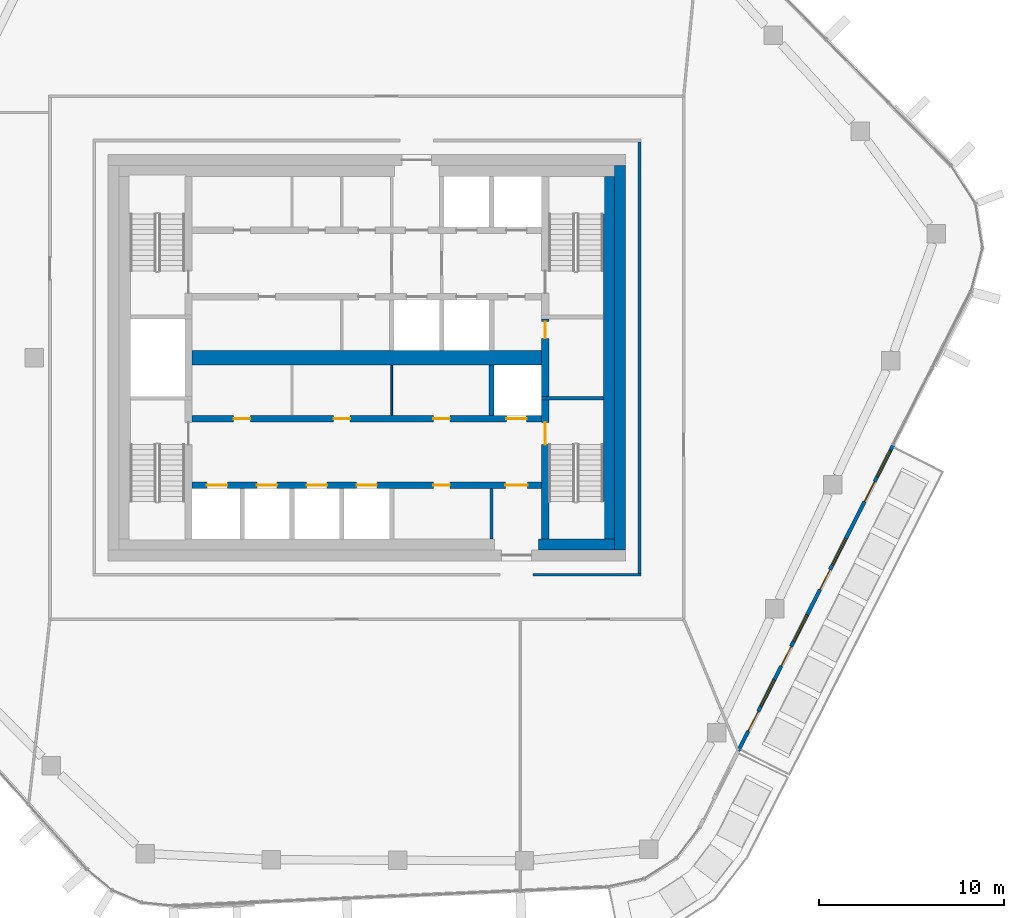
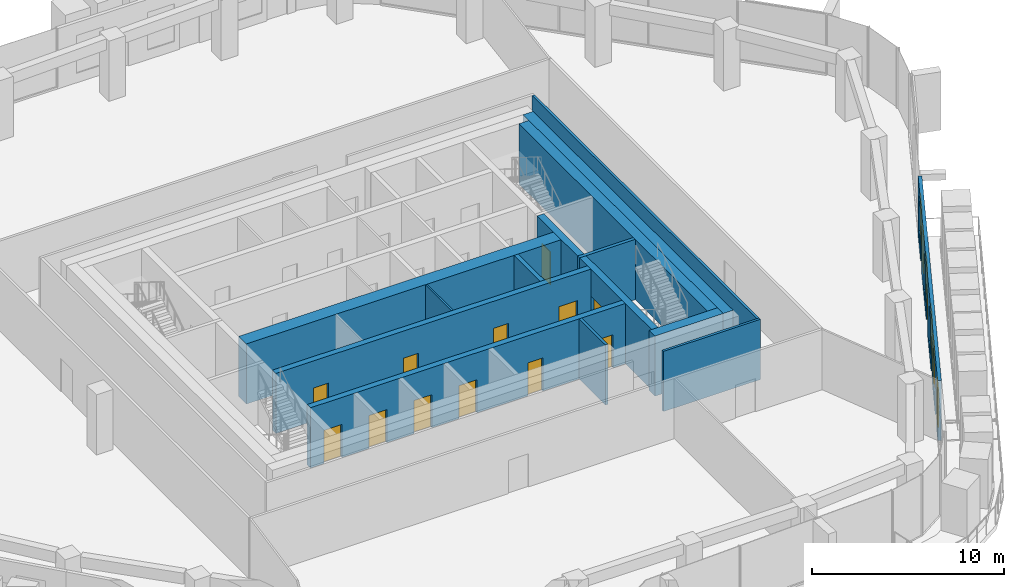
# One storey, part 13 of 23: 16 doors, 15 walls, 4 windows, 20 openings.
"""IFC4 building model written with IfcOpenShell, lengths in metres."""

from ifc_helpers import new_model, si_unit, direction, frame, frame_2d, origin, place, context, subcontext, project, spatial, rectangle, extrude, material, layer, layer_set, type_object, element, fill, save


model = new_model("IFC4")

# Units and contexts
model_context = context("Model", 3, precision=1e-05, world=origin(), true_north=direction((0.0, 1.0)))
body_context = subcontext(model_context, "Body", "Model", "MODEL_VIEW")
ifc_project = project(units=[si_unit("LENGTHUNIT", "METRE"), si_unit("AREAUNIT", "SQUARE_METRE"), si_unit("VOLUMEUNIT", "CUBIC_METRE"), si_unit("PLANEANGLEUNIT", "RADIAN"), si_unit("MASSUNIT", "GRAM", prefix="KILO")], contexts=[model_context])

# Site, building, storey
site_placement = place(None, origin())
site = spatial("IfcSite", under=ifc_project, at=site_placement, CompositionType="ELEMENT")
building_placement = place(site_placement, origin())
building = spatial("IfcBuilding", under=site, at=building_placement, Name="Dongbaek Canopy Tower", CompositionType="ELEMENT")
storey_placement = place(building_placement, frame((0.0, 0.0, 323.60009765625)))
storey = spatial("IfcBuildingStorey", under=building, at=storey_placement, Name="L69", CompositionType="ELEMENT", Elevation=323.60009765625)

# Wall
ifc_material_1 = material(Name="Concrete C60/75", Category="concrete")
ifc_layer_1 = layer(ifc_material_1, 0.800048828125)
ifc_layer_set_1 = layer_set([ifc_layer_1], Name="Core central wall 800 Concrete C60/75")
wall_type_1 = type_object("IfcWallType", Name="Core central wall 800 Concrete C60/75", PredefinedType="SHEAR", material=ifc_layer_set_1)
wall_1_placement = place(storey_placement, frame((-9.449951171875, 0.0, 0.0), z_axis=(0.0, 0.0, 1.0), x_axis=(1.0, 0.0, 0.0)))
element("IfcWall", 1, at=wall_1_placement, inside=storey, type_object=wall_type_1, Name="Core wall", PredefinedType="SHEAR", context=body_context, shape_type="SweptSolid", body=[
    extrude(rectangle(XDim=18.89990234375, YDim=0.800048828125, at=frame_2d((9.449951171875, 0.0))), origin(), (0.0, 0.0, 1.0), 3.81982421875),
])

# Wall, openings, doors
ifc_material_2 = material(Name="Concrete C60/75", Category="concrete")
ifc_layer_2 = layer(ifc_material_2, 0.35009765625)
ifc_layer_set_2 = layer_set([ifc_layer_2], Name="Core lobby wall 350 Concrete C60/75")
wall_type_2 = type_object("IfcWallType", Name="Core lobby wall 350 Concrete C60/75", PredefinedType="SHEAR", material=ifc_layer_set_2)
wall_2_placement = place(storey_placement, frame((-9.449951171875, -3.300048828125, 0.0), z_axis=(0.0, 0.0, 1.0), x_axis=(1.0, 0.0, 0.0)))
wall_2 = element("IfcWall", 2, at=wall_2_placement, inside=storey, type_object=wall_type_2, Name="Core wall", PredefinedType="SHEAR", context=body_context, shape_type="SweptSolid", body=[
    extrude(rectangle(XDim=18.89990234375, YDim=0.35009765625, at=frame_2d((9.449951171875, 0.0))), origin(), (0.0, 0.0, 1.0), 3.81982421875),
])
opening_1_placement = place(wall_2_placement, frame((17.0, 0.0, 0.0)))
opening_1 = element("IfcOpeningElement", 3, at=opening_1_placement, cuts=wall_2, Name="Opening L69-D014", PredefinedType="OPENING", context=body_context, shape_type="SweptSolid", body=[
    extrude(rectangle(XDim=1.10009765625, YDim=2.10009765625, at=frame_2d((0.550048828125, 1.050048828125))), frame((0.0, 0.18505859375, 0.0), z_axis=(0.0, -1.0, 0.0), x_axis=(1.0, 0.0, 0.0)), (0.0, 0.0, 1.0), 0.3701171875),
])
opening_2_placement = place(wall_2_placement, frame((2.25, 0.0, 0.0)))
opening_2 = element("IfcOpeningElement", 4, at=opening_2_placement, cuts=wall_2, Name="Opening L69-D026", PredefinedType="OPENING", context=body_context, shape_type="SweptSolid", body=[
    extrude(rectangle(XDim=0.89990234375, YDim=2.10009765625, at=frame_2d((0.449951171875, 1.050048828125))), frame((0.0, 0.18505859375, 0.0), z_axis=(0.0, -1.0, 0.0), x_axis=(1.0, 0.0, 0.0)), (0.0, 0.0, 1.0), 0.3701171875),
])
opening_3_placement = place(wall_2_placement, frame((7.64990234375, 0.0, 0.0)))
opening_3 = element("IfcOpeningElement", 5, at=opening_3_placement, cuts=wall_2, Name="Opening L69-D027", PredefinedType="OPENING", context=body_context, shape_type="SweptSolid", body=[
    extrude(rectangle(XDim=0.89990234375, YDim=2.10009765625, at=frame_2d((0.449951171875, 1.050048828125))), frame((0.0, 0.18505859375, 0.0), z_axis=(0.0, -1.0, 0.0), x_axis=(1.0, 0.0, 0.0)), (0.0, 0.0, 1.0), 0.3701171875),
])
opening_4_placement = place(wall_2_placement, frame((13.050048828125, 0.0, 0.0)))
opening_4 = element("IfcOpeningElement", 6, at=opening_4_placement, cuts=wall_2, Name="Opening L69-D028", PredefinedType="OPENING", context=body_context, shape_type="SweptSolid", body=[
    extrude(rectangle(XDim=0.89990234375, YDim=2.10009765625, at=frame_2d((0.449951171875, 1.050048828125))), frame((0.0, 0.18505859375, 0.0), z_axis=(0.0, -1.0, 0.0), x_axis=(1.0, 0.0, 0.0)), (0.0, 0.0, 1.0), 0.3701171875),
])
ifc_material_3 = material(Name="Steel", Category="steel")
door_type_1 = type_object("IfcDoorType", Name="Core room door 900 x 2100", OperationType="SINGLE_SWING_LEFT", PredefinedType="DOOR", material=ifc_material_3)
door_1_placement = place(opening_2_placement, origin())
door_1 = element("IfcDoor", 7, at=door_1_placement, inside=storey, type_object=door_type_1, Name="Door L69-D026", OperationType="SINGLE_SWING_LEFT", OverallHeight=2.10009765625, OverallWidth=0.89990234375, PredefinedType="DOOR", context=body_context, shape_type="SweptSolid", body=[
    extrude(rectangle(XDim=0.89990234375, YDim=2.10009765625, at=frame_2d((0.449951171875, 1.050048828125))), frame((0.0, 0.02490234375, 0.0), z_axis=(0.0, -1.0, 0.0), x_axis=(1.0, 0.0, 0.0)), (0.0, 0.0, 1.0), 0.050048828125),
])
fill(opening_2, door_1)
door_2_placement = place(opening_3_placement, origin())
door_2 = element("IfcDoor", 8, at=door_2_placement, inside=storey, type_object=door_type_1, Name="Door L69-D027", OperationType="SINGLE_SWING_RIGHT", OverallHeight=2.10009765625, OverallWidth=0.89990234375, PredefinedType="DOOR", context=body_context, shape_type="SweptSolid", body=[
    extrude(rectangle(XDim=0.89990234375, YDim=2.10009765625, at=frame_2d((0.449951171875, 1.050048828125))), frame((0.0, 0.02490234375, 0.0), z_axis=(0.0, -1.0, 0.0), x_axis=(1.0, 0.0, 0.0)), (0.0, 0.0, 1.0), 0.050048828125),
])
fill(opening_3, door_2)
door_3_placement = place(opening_4_placement, origin())
door_3 = element("IfcDoor", 9, at=door_3_placement, inside=storey, type_object=door_type_1, Name="Door L69-D028", OperationType="SINGLE_SWING_LEFT", OverallHeight=2.10009765625, OverallWidth=0.89990234375, PredefinedType="DOOR", context=body_context, shape_type="SweptSolid", body=[
    extrude(rectangle(XDim=0.89990234375, YDim=2.10009765625, at=frame_2d((0.449951171875, 1.050048828125))), frame((0.0, 0.02490234375, 0.0), z_axis=(0.0, -1.0, 0.0), x_axis=(1.0, 0.0, 0.0)), (0.0, 0.0, 1.0), 0.050048828125),
])
fill(opening_4, door_3)
ifc_material_4 = material(Name="Stainless steel", Category="steel")
door_type_2 = type_object("IfcDoorType", Name="Lift landing door 1100 x 2100", OperationType="DOUBLE_DOOR_SLIDING", PredefinedType="DOOR", material=ifc_material_4)
door_4_placement = place(opening_1_placement, origin())
door_4 = element("IfcDoor", 10, at=door_4_placement, inside=storey, type_object=door_type_2, Name="Landing door SV2", OperationType="DOUBLE_DOOR_SLIDING", OverallHeight=2.10009765625, OverallWidth=1.10009765625, PredefinedType="DOOR", context=body_context, shape_type="SweptSolid", body=[
    extrude(rectangle(XDim=1.10009765625, YDim=2.10009765625, at=frame_2d((0.550048828125, 1.050048828125))), frame((0.0, 0.02490234375, 0.0), z_axis=(0.0, -1.0, 0.0), x_axis=(1.0, 0.0, 0.0)), (0.0, 0.0, 1.0), 0.050048828125),
])
fill(opening_1, door_4)

wall_3_placement = place(storey_placement, frame((9.449951171875, -6.89990234375, 0.0), z_axis=(0.0, 0.0, 1.0), x_axis=(-1.0, 0.0, 0.0)))
wall_3 = element("IfcWall", 11, at=wall_3_placement, inside=storey, type_object=wall_type_2, Name="Core wall", PredefinedType="SHEAR", context=body_context, shape_type="SweptSolid", body=[
    extrude(rectangle(XDim=18.89990234375, YDim=0.35009765625, at=frame_2d((9.449951171875, 0.0))), origin(), (0.0, 0.0, 1.0), 3.81982421875),
])
opening_5_placement = place(wall_3_placement, frame((17.0, 0.0, 0.0)))
opening_5 = element("IfcOpeningElement", 12, at=opening_5_placement, cuts=wall_3, Name="Opening L69-D015", PredefinedType="OPENING", context=body_context, shape_type="SweptSolid", body=[
    extrude(rectangle(XDim=1.10009765625, YDim=2.10009765625, at=frame_2d((0.550048828125, 1.050048828125))), frame((0.0, 0.18505859375, 0.0), z_axis=(0.0, -1.0, 0.0), x_axis=(1.0, 0.0, 0.0)), (0.0, 0.0, 1.0), 0.3701171875),
])
opening_6_placement = place(wall_3_placement, frame((14.300048828125, 0.0, 0.0)))
opening_6 = element("IfcOpeningElement", 13, at=opening_6_placement, cuts=wall_3, Name="Opening L69-D016", PredefinedType="OPENING", context=body_context, shape_type="SweptSolid", body=[
    extrude(rectangle(XDim=1.10009765625, YDim=2.10009765625, at=frame_2d((0.550048828125, 1.050048828125))), frame((0.0, 0.18505859375, 0.0), z_axis=(0.0, -1.0, 0.0), x_axis=(1.0, 0.0, 0.0)), (0.0, 0.0, 1.0), 0.3701171875),
])
opening_7_placement = place(wall_3_placement, frame((11.60009765625, 0.0, 0.0)))
opening_7 = element("IfcOpeningElement", 14, at=opening_7_placement, cuts=wall_3, Name="Opening L69-D017", PredefinedType="OPENING", context=body_context, shape_type="SweptSolid", body=[
    extrude(rectangle(XDim=1.10009765625, YDim=2.10009765625, at=frame_2d((0.550048828125, 1.050048828125))), frame((0.0, 0.18505859375, 0.0), z_axis=(0.0, -1.0, 0.0), x_axis=(1.0, 0.0, 0.0)), (0.0, 0.0, 1.0), 0.3701171875),
])
opening_8_placement = place(wall_3_placement, frame((8.89990234375, 0.0, 0.0)))
opening_8 = element("IfcOpeningElement", 15, at=opening_8_placement, cuts=wall_3, Name="Opening L69-D018", PredefinedType="OPENING", context=body_context, shape_type="SweptSolid", body=[
    extrude(rectangle(XDim=1.10009765625, YDim=2.10009765625, at=frame_2d((0.550048828125, 1.050048828125))), frame((0.0, 0.18505859375, 0.0), z_axis=(0.0, -1.0, 0.0), x_axis=(1.0, 0.0, 0.0)), (0.0, 0.0, 1.0), 0.3701171875),
])
opening_9_placement = place(wall_3_placement, frame((0.75, 0.0, 0.0)))
opening_9 = element("IfcOpeningElement", 16, at=opening_9_placement, cuts=wall_3, Name="Opening L69-D020", PredefinedType="OPENING", context=body_context, shape_type="SweptSolid", body=[
    extrude(rectangle(XDim=1.199951171875, YDim=2.10009765625, at=frame_2d((0.60009765625, 1.050048828125))), frame((0.0, 0.18505859375, 0.0), z_axis=(0.0, -1.0, 0.0), x_axis=(1.0, 0.0, 0.0)), (0.0, 0.0, 1.0), 0.3701171875),
])
opening_10_placement = place(wall_3_placement, frame((4.949951171875, 0.0, 0.0)))
opening_10 = element("IfcOpeningElement", 17, at=opening_10_placement, cuts=wall_3, Name="Opening L69-D029", PredefinedType="OPENING", context=body_context, shape_type="SweptSolid", body=[
    extrude(rectangle(XDim=0.89990234375, YDim=2.10009765625, at=frame_2d((0.449951171875, 1.050048828125))), frame((0.0, 0.18505859375, 0.0), z_axis=(0.0, -1.0, 0.0), x_axis=(1.0, 0.0, 0.0)), (0.0, 0.0, 1.0), 0.3701171875),
])
door_5_placement = place(opening_10_placement, origin())
door_5 = element("IfcDoor", 18, at=door_5_placement, inside=storey, type_object=door_type_1, Name="Door L69-D029", OperationType="SINGLE_SWING_RIGHT", OverallHeight=2.10009765625, OverallWidth=0.89990234375, PredefinedType="DOOR", context=body_context, shape_type="SweptSolid", body=[
    extrude(rectangle(XDim=0.89990234375, YDim=2.10009765625, at=frame_2d((0.449951171875, 1.050048828125))), frame((0.0, 0.02490234375, 0.0), z_axis=(0.0, -1.0, 0.0), x_axis=(1.0, 0.0, 0.0)), (0.0, 0.0, 1.0), 0.050048828125),
])
fill(opening_10, door_5)
ifc_material_5 = material(Name="Steel", Category="steel")
door_type_3 = type_object("IfcDoorType", Name="Fire lobby door 1200 x 2100", OperationType="SINGLE_SWING_LEFT", PredefinedType="DOOR", material=ifc_material_5)
door_6_placement = place(opening_9_placement, origin())
door_6 = element("IfcDoor", 19, at=door_6_placement, inside=storey, type_object=door_type_3, Name="Door L69-D020", OperationType="SINGLE_SWING_LEFT", OverallHeight=2.10009765625, OverallWidth=1.199951171875, PredefinedType="DOOR", context=body_context, shape_type="SweptSolid", body=[
    extrude(rectangle(XDim=1.199951171875, YDim=2.10009765625, at=frame_2d((0.60009765625, 1.050048828125))), frame((0.0, 0.02490234375, 0.0), z_axis=(0.0, -1.0, 0.0), x_axis=(1.0, 0.0, 0.0)), (0.0, 0.0, 1.0), 0.050048828125),
])
fill(opening_9, door_6)
door_7_placement = place(opening_5_placement, origin())
door_7 = element("IfcDoor", 20, at=door_7_placement, inside=storey, type_object=door_type_2, Name="Landing door HR1", OperationType="DOUBLE_DOOR_SLIDING", OverallHeight=2.10009765625, OverallWidth=1.10009765625, PredefinedType="DOOR", context=body_context, shape_type="SweptSolid", body=[
    extrude(rectangle(XDim=1.10009765625, YDim=2.10009765625, at=frame_2d((0.550048828125, 1.050048828125))), frame((0.0, 0.02490234375, 0.0), z_axis=(0.0, -1.0, 0.0), x_axis=(1.0, 0.0, 0.0)), (0.0, 0.0, 1.0), 0.050048828125),
])
fill(opening_5, door_7)
door_8_placement = place(opening_6_placement, origin())
door_8 = element("IfcDoor", 21, at=door_8_placement, inside=storey, type_object=door_type_2, Name="Landing door HR2", OperationType="DOUBLE_DOOR_SLIDING", OverallHeight=2.10009765625, OverallWidth=1.10009765625, PredefinedType="DOOR", context=body_context, shape_type="SweptSolid", body=[
    extrude(rectangle(XDim=1.10009765625, YDim=2.10009765625, at=frame_2d((0.550048828125, 1.050048828125))), frame((0.0, 0.02490234375, 0.0), z_axis=(0.0, -1.0, 0.0), x_axis=(1.0, 0.0, 0.0)), (0.0, 0.0, 1.0), 0.050048828125),
])
fill(opening_6, door_8)
door_9_placement = place(opening_7_placement, origin())
door_9 = element("IfcDoor", 22, at=door_9_placement, inside=storey, type_object=door_type_2, Name="Landing door HR3", OperationType="DOUBLE_DOOR_SLIDING", OverallHeight=2.10009765625, OverallWidth=1.10009765625, PredefinedType="DOOR", context=body_context, shape_type="SweptSolid", body=[
    extrude(rectangle(XDim=1.10009765625, YDim=2.10009765625, at=frame_2d((0.550048828125, 1.050048828125))), frame((0.0, 0.02490234375, 0.0), z_axis=(0.0, -1.0, 0.0), x_axis=(1.0, 0.0, 0.0)), (0.0, 0.0, 1.0), 0.050048828125),
])
fill(opening_7, door_9)
door_10_placement = place(opening_8_placement, origin())
door_10 = element("IfcDoor", 23, at=door_10_placement, inside=storey, type_object=door_type_2, Name="Landing door HR4", OperationType="DOUBLE_DOOR_SLIDING", OverallHeight=2.10009765625, OverallWidth=1.10009765625, PredefinedType="DOOR", context=body_context, shape_type="SweptSolid", body=[
    extrude(rectangle(XDim=1.10009765625, YDim=2.10009765625, at=frame_2d((0.550048828125, 1.050048828125))), frame((0.0, 0.02490234375, 0.0), z_axis=(0.0, -1.0, 0.0), x_axis=(1.0, 0.0, 0.0)), (0.0, 0.0, 1.0), 0.050048828125),
])
fill(opening_8, door_10)

# Walls
ifc_material_6 = material(Name="Concrete C80/95", Category="concrete")
ifc_layer_3 = layer(ifc_material_6, 0.60009765625)
ifc_layer_set_3 = layer_set([ifc_layer_3], Name="Core outer wall 600 Concrete C80/95")
wall_type_3 = type_object("IfcWallType", Name="Core outer wall 600 Concrete C80/95", PredefinedType="SHEAR", material=ifc_layer_set_3)
wall_4_placement = place(storey_placement, frame((13.699951171875, 10.39990234375, 0.0), z_axis=(0.0, 0.0, 1.0), x_axis=(0.0, -1.0, 0.0)))
element("IfcWall", 24, at=wall_4_placement, inside=storey, type_object=wall_type_3, Name="Core wall", PredefinedType="SHEAR", context=body_context, shape_type="SweptSolid", body=[
    extrude(rectangle(XDim=20.7998046875, YDim=0.60009765625, at=frame_2d((10.39990234375, 0.0))), origin(), (0.0, 0.0, 1.0), 3.81982421875),
])
ifc_material_7 = material(Name="Concrete C60/75", Category="concrete")
ifc_layer_4 = layer(ifc_material_7, 0.60009765625)
ifc_layer_set_4 = layer_set([ifc_layer_4], Name="Core wall lining 600 Concrete C60/75")
wall_type_4 = type_object("IfcWallType", Name="Core wall lining 600 Concrete C60/75", PredefinedType="SHEAR", material=ifc_layer_set_4)
wall_5_placement = place(storey_placement, frame((13.39990234375, -10.10009765625, 0.0), z_axis=(0.0, 0.0, 1.0), x_axis=(-1.0, 0.0, 0.0)))
element("IfcWall", 25, at=wall_5_placement, inside=storey, type_object=wall_type_4, Name="Core wall lining", PredefinedType="SHEAR", context=body_context, shape_type="SweptSolid", body=[
    extrude(rectangle(XDim=4.099853515625, YDim=0.60009765625, at=frame_2d((2.0498046875, 0.0))), origin(), (0.0, 0.0, 1.0), 3.81982421875),
])
wall_6_placement = place(storey_placement, frame((13.10009765625, 9.800048828125, 0.0), z_axis=(0.0, 0.0, 1.0), x_axis=(0.0, -1.0, 0.0)))
element("IfcWall", 26, at=wall_6_placement, inside=storey, type_object=wall_type_4, Name="Core wall lining", PredefinedType="SHEAR", context=body_context, shape_type="SweptSolid", body=[
    extrude(rectangle(XDim=19.60009765625, YDim=0.60009765625, at=frame_2d((9.800048828125, 0.0))), origin(), (0.0, 0.0, 1.0), 3.81982421875),
])
ifc_material_8 = material(Name="Gypsum board partition, steel stud, 2 x 15 mm fire board", Category="steel")
ifc_layer_5 = layer(ifc_material_8, 0.14990234375)
ifc_layer_set_5 = layer_set([ifc_layer_5], Name="Fire-rated partition 150 gypsum board")
wall_type_5 = type_object("IfcWallType", Name="Fire-rated partition 150 gypsum board", PredefinedType="PARTITIONING", material=ifc_layer_set_5)
wall_7_placement = place(storey_placement, frame((9.0, -11.75, 0.0), z_axis=(0.0, 0.0, 1.0), x_axis=(1.0, 0.0, 0.0)))
element("IfcWall", 27, at=wall_7_placement, inside=storey, type_object=wall_type_5, Name="Corridor partition", PredefinedType="PARTITIONING", context=body_context, shape_type="SweptSolid", body=[
    extrude(rectangle(XDim=5.824951171875, YDim=0.14990234375, at=frame_2d((2.91259765625, 0.0))), origin(), (0.0, 0.0, 1.0), 3.81982421875),
])
wall_8_placement = place(storey_placement, frame((14.75, -11.675048828125, 0.0), z_axis=(0.0, 0.0, 1.0), x_axis=(0.0, 1.0, 0.0)))
element("IfcWall", 28, at=wall_8_placement, inside=storey, type_object=wall_type_5, Name="Corridor partition", PredefinedType="PARTITIONING", context=body_context, shape_type="SweptSolid", body=[
    extrude(rectangle(XDim=23.35009765625, YDim=0.14990234375, at=frame_2d((11.675048828125, 0.0))), origin(), (0.0, 0.0, 1.0), 3.81982421875),
])
wall_9_placement = place(storey_placement, frame((6.75, -9.800048828125, 0.0), z_axis=(0.0, 0.0, 1.0), x_axis=(0.0, 1.0, 0.0)))
element("IfcWall", 29, at=wall_9_placement, inside=storey, type_object=wall_type_5, Name="Fire lobby partition", PredefinedType="PARTITIONING", context=body_context, shape_type="SweptSolid", body=[
    extrude(rectangle(XDim=2.72509765625, YDim=0.14990234375, at=frame_2d((1.362548828125, 0.0))), origin(), (0.0, 0.0, 1.0), 3.81982421875),
])
ifc_material_9 = material(Name="Concrete C40/50", Category="concrete")
ifc_layer_6 = layer(ifc_material_9, 0.25)
ifc_layer_set_6 = layer_set([ifc_layer_6], Name="Lift shaft wall 250 Concrete C40/50")
wall_type_6 = type_object("IfcWallType", Name="Lift shaft wall 250 Concrete C40/50", PredefinedType="SOLIDWALL", material=ifc_layer_set_6)
wall_10_placement = place(storey_placement, frame((6.75, -3.125, 0.0), z_axis=(0.0, 0.0, 1.0), x_axis=(0.0, 1.0, 0.0)))
element("IfcWall", 30, at=wall_10_placement, inside=storey, type_object=wall_type_6, Name="Lift shaft wall", PredefinedType="SOLIDWALL", context=body_context, shape_type="SweptSolid", body=[
    extrude(rectangle(XDim=2.72509765625, YDim=0.25, at=frame_2d((1.362548828125, 0.0))), origin(), (0.0, 0.0, 1.0), 3.81982421875),
])
ifc_material_10 = material(Name="Gypsum board partition, steel stud, 2 x 12.5 mm board", Category="steel")
ifc_layer_7 = layer(ifc_material_10, 0.10009765625)
ifc_layer_set_7 = layer_set([ifc_layer_7], Name="Partition 100 gypsum board")
wall_type_7 = type_object("IfcWallType", Name="Partition 100 gypsum board", PredefinedType="PARTITIONING", material=ifc_layer_set_7)
wall_11_placement = place(storey_placement, frame((1.35009765625, -3.125, 0.0), z_axis=(0.0, 0.0, 1.0), x_axis=(0.0, 1.0, 0.0)))
element("IfcWall", 31, at=wall_11_placement, inside=storey, type_object=wall_type_7, Name="Core partition", PredefinedType="PARTITIONING", context=body_context, shape_type="SweptSolid", body=[
    extrude(rectangle(XDim=2.72509765625, YDim=0.10009765625, at=frame_2d((1.362548828125, 0.0))), origin(), (0.0, 0.0, 1.0), 3.81982421875),
])
ifc_material_11 = material(Name="Concrete C60/75", Category="concrete")
ifc_layer_8 = layer(ifc_material_11, 0.199951171875)
ifc_layer_set_8 = layer_set([ifc_layer_8], Name="Riser wall 200 Concrete C60/75")
wall_type_8 = type_object("IfcWallType", Name="Riser wall 200 Concrete C60/75", PredefinedType="SHEAR", material=ifc_layer_set_8)
wall_12_placement = place(storey_placement, frame((9.449951171875, -2.199951171875, 0.0), z_axis=(0.0, 0.0, 1.0), x_axis=(1.0, 0.0, 0.0)))
element("IfcWall", 32, at=wall_12_placement, inside=storey, type_object=wall_type_8, Name="Riser wall", PredefinedType="SHEAR", context=body_context, shape_type="SweptSolid", body=[
    extrude(rectangle(XDim=3.35009765625, YDim=0.199951171875, at=frame_2d((1.675048828125, 0.0))), origin(), (0.0, 0.0, 1.0), 3.81982421875),
])

# Wall, opening, door
ifc_material_12 = material(Name="Concrete C60/75", Category="concrete")
ifc_layer_9 = layer(ifc_material_12, 0.39990234375)
ifc_layer_set_9 = layer_set([ifc_layer_9], Name="Stair wall 400 Concrete C60/75")
wall_type_9 = type_object("IfcWallType", Name="Stair wall 400 Concrete C60/75", PredefinedType="SHEAR", material=ifc_layer_set_9)
wall_13_placement = place(storey_placement, frame((9.64990234375, -2.300048828125, 0.0), z_axis=(0.0, 0.0, 1.0), x_axis=(0.0, -1.0, 0.0)))
wall_13 = element("IfcWall", 33, at=wall_13_placement, inside=storey, type_object=wall_type_9, Name="Stair wall", PredefinedType="SHEAR", context=body_context, shape_type="SweptSolid", body=[
    extrude(rectangle(XDim=7.5, YDim=0.39990234375, at=frame_2d((3.75, 0.0))), origin(), (0.0, 0.0, 1.0), 3.81982421875),
])
opening_11_placement = place(wall_13_placement, frame((1.199951171875, 0.0, 0.0)))
opening_11 = element("IfcOpeningElement", 34, at=opening_11_placement, cuts=wall_13, Name="Opening L69-D032", PredefinedType="OPENING", context=body_context, shape_type="SweptSolid", body=[
    extrude(rectangle(XDim=1.199951171875, YDim=2.10009765625, at=frame_2d((0.60009765625, 1.050048828125))), frame((0.0, 0.2099609375, 0.0), z_axis=(0.0, -1.0, 0.0), x_axis=(1.0, 0.0, 0.0)), (0.0, 0.0, 1.0), 0.419921875),
])
ifc_material_13 = material(Name="Steel", Category="steel")
door_type_4 = type_object("IfcDoorType", Name="Stair door 1200 x 2100", OperationType="SINGLE_SWING_LEFT", PredefinedType="DOOR", material=ifc_material_13)
door_11_placement = place(opening_11_placement, origin())
door_11 = element("IfcDoor", 35, at=door_11_placement, inside=storey, type_object=door_type_4, Name="Stair B door", OperationType="SINGLE_SWING_RIGHT", OverallHeight=2.10009765625, OverallWidth=1.199951171875, PredefinedType="DOOR", context=body_context, shape_type="SweptSolid", body=[
    extrude(rectangle(XDim=1.199951171875, YDim=2.10009765625, at=frame_2d((0.60009765625, 1.050048828125))), frame((0.0, 0.02490234375, 0.0), z_axis=(0.0, -1.0, 0.0), x_axis=(1.0, 0.0, 0.0)), (0.0, 0.0, 1.0), 0.050048828125),
])
fill(opening_11, door_11)

wall_14_placement = place(storey_placement, frame((9.64990234375, 2.10009765625, 0.0), z_axis=(0.0, 0.0, 1.0), x_axis=(0.0, -1.0, 0.0)))
wall_14 = element("IfcWall", 36, at=wall_14_placement, inside=storey, type_object=wall_type_9, Name="Stair wall", PredefinedType="SHEAR", context=body_context, shape_type="SweptSolid", body=[
    extrude(rectangle(XDim=4.2001953125, YDim=0.39990234375, at=frame_2d((2.10009765625, 0.0))), origin(), (0.0, 0.0, 1.0), 3.81982421875),
])
opening_12_placement = place(wall_14_placement, frame((0.14990234375, 0.0, 0.0)))
opening_12 = element("IfcOpeningElement", 37, at=opening_12_placement, cuts=wall_14, Name="Opening L69-D006", PredefinedType="OPENING", context=body_context, shape_type="SweptSolid", body=[
    extrude(rectangle(XDim=0.89990234375, YDim=2.10009765625, at=frame_2d((0.449951171875, 1.050048828125))), frame((0.0, 0.2099609375, 0.0), z_axis=(0.0, -1.0, 0.0), x_axis=(1.0, 0.0, 0.0)), (0.0, 0.0, 1.0), 0.419921875),
])
door_12_placement = place(opening_12_placement, origin())
door_12 = element("IfcDoor", 38, at=door_12_placement, inside=storey, type_object=door_type_1, Name="Door L69-D006", OperationType="SINGLE_SWING_RIGHT", OverallHeight=2.10009765625, OverallWidth=0.89990234375, PredefinedType="DOOR", context=body_context, shape_type="SweptSolid", body=[
    extrude(rectangle(XDim=0.89990234375, YDim=2.10009765625, at=frame_2d((0.449951171875, 1.050048828125))), frame((0.0, 0.02490234375, 0.0), z_axis=(0.0, -1.0, 0.0), x_axis=(1.0, 0.0, 0.0)), (0.0, 0.0, 1.0), 0.050048828125),
])
fill(opening_12, door_12)

# Wall, openings, doors, windows
ifc_material_14 = material(Name="Aluminium window wall", Category="aluminium")
ifc_layer_10 = layer(ifc_material_14, 0.199951171875)
ifc_layer_set_10 = layer_set([ifc_layer_10], Name="Window wall 200")
wall_type_10 = type_object("IfcWallType", Name="Window wall 200", PredefinedType="SOLIDWALL", material=ifc_layer_set_10)
wall_15_placement = place(storey_placement, frame((20.102294921875, -21.27587890625, 0.0), z_axis=(0.0, 0.0, 1.0), x_axis=(0.451966467013, 0.892034927957, 0.0)))
wall_15 = element("IfcWall", 39, at=wall_15_placement, inside=storey, type_object=wall_type_10, Name="Window wall L69 4", PredefinedType="SOLIDWALL", context=body_context, shape_type="SweptSolid", body=[
    extrude(rectangle(XDim=18.570068359375, YDim=0.199951171875, at=frame_2d((9.28515625, 0.0))), origin(), (0.0, 0.0, 1.0), 3.81982421875),
])
opening_13_placement = place(wall_15_placement, frame((2.699951171875, 0.0, 0.60009765625)))
opening_13 = element("IfcOpeningElement", 40, at=opening_13_placement, cuts=wall_15, Name="Opening W1", PredefinedType="OPENING", context=body_context, shape_type="SweptSolid", body=[
    extrude(rectangle(XDim=1.60009765625, YDim=2.39990234375, at=frame_2d((0.800048828125, 1.199951171875))), frame((0.0, 0.10986328125, 0.0), z_axis=(0.0, -1.0, 0.0), x_axis=(1.0, 0.0, 0.0)), (0.0, 0.0, 1.0), 0.219970703125),
])
opening_14_placement = place(wall_15_placement, frame((1.199951171875, 0.0, 0.0)))
opening_14 = element("IfcOpeningElement", 41, at=opening_14_placement, cuts=wall_15, Name="Opening L69-B12", PredefinedType="OPENING", context=body_context, shape_type="SweptSolid", body=[
    extrude(rectangle(XDim=1.199951171875, YDim=2.39990234375, at=frame_2d((0.60009765625, 1.199951171875))), frame((0.0, 0.10986328125, 0.0), z_axis=(0.0, -1.0, 0.0), x_axis=(1.0, 0.0, 0.0)), (0.0, 0.0, 1.0), 0.219970703125),
])
opening_15_placement = place(wall_15_placement, frame((6.642578125, 0.0, 0.60009765625)))
opening_15 = element("IfcOpeningElement", 42, at=opening_15_placement, cuts=wall_15, Name="Opening W1", PredefinedType="OPENING", context=body_context, shape_type="SweptSolid", body=[
    extrude(rectangle(XDim=1.60009765625, YDim=2.39990234375, at=frame_2d((0.800048828125, 1.199951171875))), frame((0.0, 0.10986328125, 0.0), z_axis=(0.0, -1.0, 0.0), x_axis=(1.0, 0.0, 0.0)), (0.0, 0.0, 1.0), 0.219970703125),
])
opening_16_placement = place(wall_15_placement, frame((5.142578125, 0.0, 0.0)))
opening_16 = element("IfcOpeningElement", 43, at=opening_16_placement, cuts=wall_15, Name="Opening L69-B13", PredefinedType="OPENING", context=body_context, shape_type="SweptSolid", body=[
    extrude(rectangle(XDim=1.199951171875, YDim=2.39990234375, at=frame_2d((0.60009765625, 1.199951171875))), frame((0.0, 0.10986328125, 0.0), z_axis=(0.0, -1.0, 0.0), x_axis=(1.0, 0.0, 0.0)), (0.0, 0.0, 1.0), 0.219970703125),
])
opening_17_placement = place(wall_15_placement, frame((11.284912109375, 0.0, 0.60009765625)))
opening_17 = element("IfcOpeningElement", 44, at=opening_17_placement, cuts=wall_15, Name="Opening W1", PredefinedType="OPENING", context=body_context, shape_type="SweptSolid", body=[
    extrude(rectangle(XDim=1.60009765625, YDim=2.39990234375, at=frame_2d((0.800048828125, 1.199951171875))), frame((0.0, 0.10986328125, 0.0), z_axis=(0.0, -1.0, 0.0), x_axis=(1.0, 0.0, 0.0)), (0.0, 0.0, 1.0), 0.219970703125),
])
opening_18_placement = place(wall_15_placement, frame((9.784912109375, 0.0, 0.0)))
opening_18 = element("IfcOpeningElement", 45, at=opening_18_placement, cuts=wall_15, Name="Opening L69-B14", PredefinedType="OPENING", context=body_context, shape_type="SweptSolid", body=[
    extrude(rectangle(XDim=1.199951171875, YDim=2.39990234375, at=frame_2d((0.60009765625, 1.199951171875))), frame((0.0, 0.10986328125, 0.0), z_axis=(0.0, -1.0, 0.0), x_axis=(1.0, 0.0, 0.0)), (0.0, 0.0, 1.0), 0.219970703125),
])
opening_19_placement = place(wall_15_placement, frame((16.62744140625, 0.0, 0.60009765625)))
opening_19 = element("IfcOpeningElement", 46, at=opening_19_placement, cuts=wall_15, Name="Opening W1", PredefinedType="OPENING", context=body_context, shape_type="SweptSolid", body=[
    extrude(rectangle(XDim=1.60009765625, YDim=2.39990234375, at=frame_2d((0.800048828125, 1.199951171875))), frame((0.0, 0.10986328125, 0.0), z_axis=(0.0, -1.0, 0.0), x_axis=(1.0, 0.0, 0.0)), (0.0, 0.0, 1.0), 0.219970703125),
])
opening_20_placement = place(wall_15_placement, frame((15.12744140625, 0.0, 0.0)))
opening_20 = element("IfcOpeningElement", 47, at=opening_20_placement, cuts=wall_15, Name="Opening L69-B15", PredefinedType="OPENING", context=body_context, shape_type="SweptSolid", body=[
    extrude(rectangle(XDim=1.199951171875, YDim=2.39990234375, at=frame_2d((0.60009765625, 1.199951171875))), frame((0.0, 0.10986328125, 0.0), z_axis=(0.0, -1.0, 0.0), x_axis=(1.0, 0.0, 0.0)), (0.0, 0.0, 1.0), 0.219970703125),
])
ifc_material_15 = material(Name="Clear glazing in aluminium frame", Category="aluminium")
door_type_5 = type_object("IfcDoorType", Name="Balcony door BD1 1200 x 2400", OperationType="SLIDING_TO_LEFT", PredefinedType="DOOR", material=ifc_material_15)
door_13_placement = place(opening_14_placement, origin())
door_13 = element("IfcDoor", 48, at=door_13_placement, inside=storey, type_object=door_type_5, Name="Balcony door L69-B12", OperationType="SLIDING_TO_LEFT", OverallHeight=2.39990234375, OverallWidth=1.199951171875, PredefinedType="DOOR", context=body_context, shape_type="SweptSolid", body=[
    extrude(rectangle(XDim=1.199951171875, YDim=2.39990234375, at=frame_2d((0.60009765625, 1.199951171875))), frame((0.0, 0.02490234375, 0.0), z_axis=(0.0, -1.0, 0.0), x_axis=(1.0, 0.0, 0.0)), (0.0, 0.0, 1.0), 0.050048828125),
])
fill(opening_14, door_13)
door_14_placement = place(opening_16_placement, origin())
door_14 = element("IfcDoor", 49, at=door_14_placement, inside=storey, type_object=door_type_5, Name="Balcony door L69-B13", OperationType="SLIDING_TO_LEFT", OverallHeight=2.39990234375, OverallWidth=1.199951171875, PredefinedType="DOOR", context=body_context, shape_type="SweptSolid", body=[
    extrude(rectangle(XDim=1.199951171875, YDim=2.39990234375, at=frame_2d((0.60009765625, 1.199951171875))), frame((0.0, 0.02490234375, 0.0), z_axis=(0.0, -1.0, 0.0), x_axis=(1.0, 0.0, 0.0)), (0.0, 0.0, 1.0), 0.050048828125),
])
fill(opening_16, door_14)
door_15_placement = place(opening_18_placement, origin())
door_15 = element("IfcDoor", 50, at=door_15_placement, inside=storey, type_object=door_type_5, Name="Balcony door L69-B14", OperationType="SLIDING_TO_LEFT", OverallHeight=2.39990234375, OverallWidth=1.199951171875, PredefinedType="DOOR", context=body_context, shape_type="SweptSolid", body=[
    extrude(rectangle(XDim=1.199951171875, YDim=2.39990234375, at=frame_2d((0.60009765625, 1.199951171875))), frame((0.0, 0.02490234375, 0.0), z_axis=(0.0, -1.0, 0.0), x_axis=(1.0, 0.0, 0.0)), (0.0, 0.0, 1.0), 0.050048828125),
])
fill(opening_18, door_15)
door_16_placement = place(opening_20_placement, origin())
door_16 = element("IfcDoor", 51, at=door_16_placement, inside=storey, type_object=door_type_5, Name="Balcony door L69-B15", OperationType="SLIDING_TO_LEFT", OverallHeight=2.39990234375, OverallWidth=1.199951171875, PredefinedType="DOOR", context=body_context, shape_type="SweptSolid", body=[
    extrude(rectangle(XDim=1.199951171875, YDim=2.39990234375, at=frame_2d((0.60009765625, 1.199951171875))), frame((0.0, 0.02490234375, 0.0), z_axis=(0.0, -1.0, 0.0), x_axis=(1.0, 0.0, 0.0)), (0.0, 0.0, 1.0), 0.050048828125),
])
fill(opening_20, door_16)
ifc_material_16 = material(Name="Clear glazing in aluminium frame", Category="aluminium")
window_type = type_object("IfcWindowType", Name="Window W1 1600 x 2400", PartitioningType="SINGLE_PANEL", PredefinedType="WINDOW", material=ifc_material_16)
window_1_placement = place(opening_13_placement, origin())
window_1 = element("IfcWindow", 52, at=window_1_placement, inside=storey, type_object=window_type, Name="Window L69 4.1", OverallHeight=2.39990234375, OverallWidth=1.60009765625, PartitioningType="SINGLE_PANEL", PredefinedType="WINDOW", context=body_context, shape_type="SweptSolid", body=[
    extrude(rectangle(XDim=1.60009765625, YDim=2.39990234375, at=frame_2d((0.800048828125, 1.199951171875))), frame((0.0, 0.030029296875, 0.0), z_axis=(0.0, -1.0, 0.0), x_axis=(1.0, 0.0, 0.0)), (0.0, 0.0, 1.0), 0.06005859375),
])
fill(opening_13, window_1)
window_2_placement = place(opening_15_placement, origin())
window_2 = element("IfcWindow", 53, at=window_2_placement, inside=storey, type_object=window_type, Name="Window L69 4.2", OverallHeight=2.39990234375, OverallWidth=1.60009765625, PartitioningType="SINGLE_PANEL", PredefinedType="WINDOW", context=body_context, shape_type="SweptSolid", body=[
    extrude(rectangle(XDim=1.60009765625, YDim=2.39990234375, at=frame_2d((0.800048828125, 1.199951171875))), frame((0.0, 0.030029296875, 0.0), z_axis=(0.0, -1.0, 0.0), x_axis=(1.0, 0.0, 0.0)), (0.0, 0.0, 1.0), 0.06005859375),
])
fill(opening_15, window_2)
window_3_placement = place(opening_17_placement, origin())
window_3 = element("IfcWindow", 54, at=window_3_placement, inside=storey, type_object=window_type, Name="Window L69 4.3", OverallHeight=2.39990234375, OverallWidth=1.60009765625, PartitioningType="SINGLE_PANEL", PredefinedType="WINDOW", context=body_context, shape_type="SweptSolid", body=[
    extrude(rectangle(XDim=1.60009765625, YDim=2.39990234375, at=frame_2d((0.800048828125, 1.199951171875))), frame((0.0, 0.030029296875, 0.0), z_axis=(0.0, -1.0, 0.0), x_axis=(1.0, 0.0, 0.0)), (0.0, 0.0, 1.0), 0.06005859375),
])
fill(opening_17, window_3)
window_4_placement = place(opening_19_placement, origin())
window_4 = element("IfcWindow", 55, at=window_4_placement, inside=storey, type_object=window_type, Name="Window L69 4.4", OverallHeight=2.39990234375, OverallWidth=1.60009765625, PartitioningType="SINGLE_PANEL", PredefinedType="WINDOW", context=body_context, shape_type="SweptSolid", body=[
    extrude(rectangle(XDim=1.60009765625, YDim=2.39990234375, at=frame_2d((0.800048828125, 1.199951171875))), frame((0.0, 0.030029296875, 0.0), z_axis=(0.0, -1.0, 0.0), x_axis=(1.0, 0.0, 0.0)), (0.0, 0.0, 1.0), 0.06005859375),
])
fill(opening_19, window_4)

save(model, "model.ifc")
